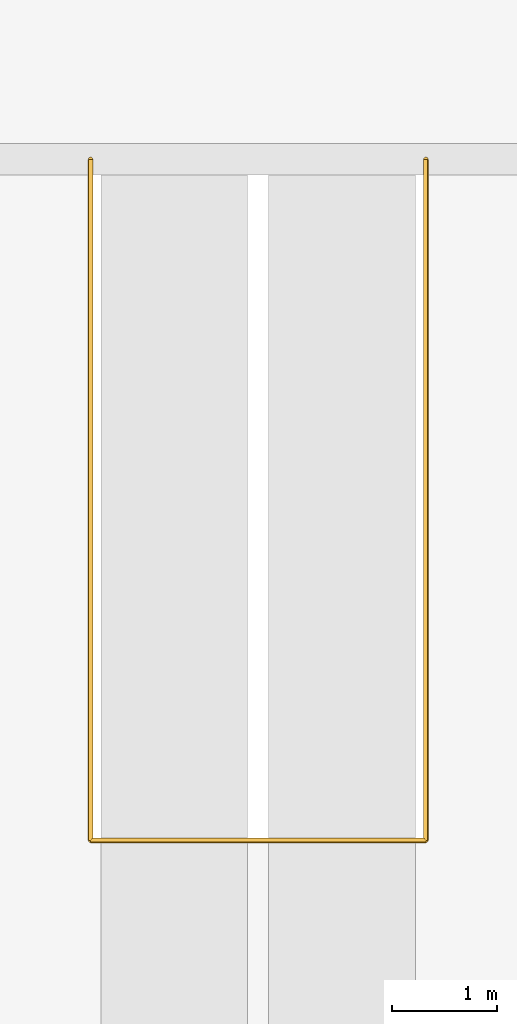
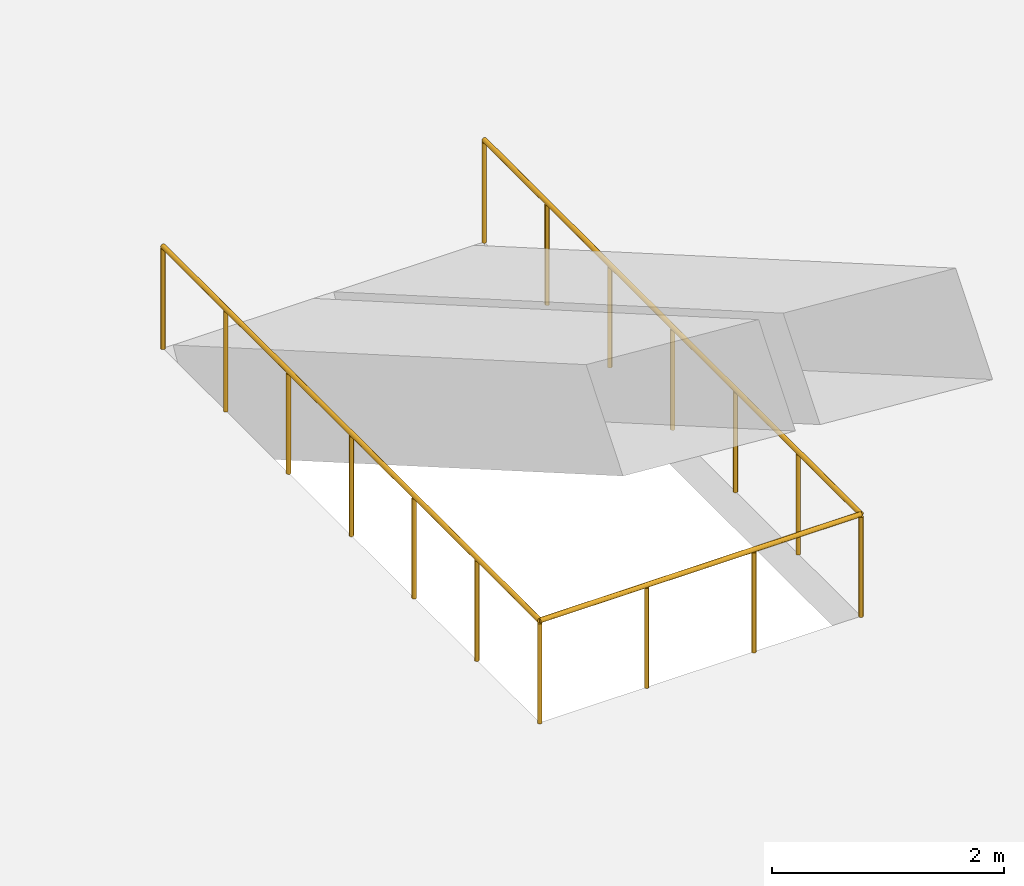
# One storey, part 22 of 27: 1 railing.
"""IFC4 building model written with IfcOpenShell, lengths in metres."""

from ifc_helpers import new_model, si_unit, direction, frame, origin, origin_2d, place, context, subcontext, project, spatial, circle, extrude, material, type_object, element, save


model = new_model("IFC4")

# Units and contexts
model_context = context("Model", 3, precision=1e-05, world=origin(), true_north=direction((0.0, 1.0)))
body_context = subcontext(model_context, "Body", "Model", "MODEL_VIEW")
ifc_project = project(units=[si_unit("LENGTHUNIT", "METRE"), si_unit("AREAUNIT", "SQUARE_METRE"), si_unit("VOLUMEUNIT", "CUBIC_METRE"), si_unit("PLANEANGLEUNIT", "RADIAN"), si_unit("MASSUNIT", "GRAM", prefix="KILO")], contexts=[model_context])

# Site, building, storey
site_placement = place(None, origin())
site = spatial("IfcSite", under=ifc_project, at=site_placement, CompositionType="ELEMENT")
building_placement = place(site_placement, origin())
building = spatial("IfcBuilding", under=site, at=building_placement, Name="Tel Ilan Convention Tower", CompositionType="ELEMENT")
storey_placement = place(building_placement, frame((0.0, 0.0, 9.0)))
storey = spatial("IfcBuildingStorey", under=building, at=storey_placement, Name="L01", CompositionType="ELEMENT", Elevation=9.0)

# Railing
ifc_material = material(Name="Stainless Steel Grade 316", Category="steel")
railing_type = type_object("IfcRailingType", Name="Stainless Steel Escalator Opening Guard 1100 mm", PredefinedType="GUARDRAIL", material=ifc_material)
railing_placement = place(storey_placement, frame((-1.60009765625, -36.41162109375, 0.0)))
element("IfcRailing", 1, at=railing_placement, inside=storey, type_object=railing_type, Name="L01 escalator opening guard", PredefinedType="GUARDRAIL", context=body_context, shape_type="SweptSolid", body=[
    extrude(circle(Radius=0.02392578125, at=origin_2d()), frame((0.0, 0.0, 1.076171875), z_axis=(0.0, -1.0, 0.0), x_axis=(1.0, 0.0, 0.0)), (0.0, 0.0, 1.0), 6.5),
    extrude(circle(Radius=0.02392578125, at=origin_2d()), frame((0.0, -6.5, 1.076171875), z_axis=(1.0, 0.0, 0.0), x_axis=(0.0, 1.0, 0.0)), (0.0, 0.0, 1.0), 3.2001953125),
    extrude(circle(Radius=0.02392578125, at=origin_2d()), frame((3.2001953125, -6.5, 1.076171875), z_axis=(0.0, 1.0, 0.0), x_axis=(-1.0, 0.0, 0.0)), (0.0, 0.0, 1.0), 6.5),
    extrude(circle(Radius=0.02099609375, at=origin_2d()), origin(), (0.0, 0.0, 1.0), 1.052001953125),
    extrude(circle(Radius=0.02099609375, at=origin_2d()), frame((0.0, -1.083251953125, 0.0)), (0.0, 0.0, 1.0), 1.052001953125),
    extrude(circle(Radius=0.02099609375, at=origin_2d()), frame((0.0, -2.166748046875, 0.0)), (0.0, 0.0, 1.0), 1.052001953125),
    extrude(circle(Radius=0.02099609375, at=origin_2d()), frame((0.0, -3.25, 0.0)), (0.0, 0.0, 1.0), 1.052001953125),
    extrude(circle(Radius=0.02099609375, at=origin_2d()), frame((0.0, -4.333251953125, 0.0)), (0.0, 0.0, 1.0), 1.052001953125),
    extrude(circle(Radius=0.02099609375, at=origin_2d()), frame((0.0, -5.416748046875, 0.0)), (0.0, 0.0, 1.0), 1.052001953125),
    extrude(circle(Radius=0.02099609375, at=origin_2d()), frame((0.0, -6.5, 0.0)), (0.0, 0.0, 1.0), 1.052001953125),
    extrude(circle(Radius=0.02099609375, at=origin_2d()), frame((1.066650390625, -6.5, 0.0)), (0.0, 0.0, 1.0), 1.052001953125),
    extrude(circle(Radius=0.02099609375, at=origin_2d()), frame((2.133544921875, -6.5, 0.0)), (0.0, 0.0, 1.0), 1.052001953125),
    extrude(circle(Radius=0.02099609375, at=origin_2d()), frame((3.2001953125, -6.5, 0.0)), (0.0, 0.0, 1.0), 1.052001953125),
    extrude(circle(Radius=0.02099609375, at=origin_2d()), frame((3.2001953125, -5.416748046875, 0.0)), (0.0, 0.0, 1.0), 1.052001953125),
    extrude(circle(Radius=0.02099609375, at=origin_2d()), frame((3.2001953125, -4.333251953125, 0.0)), (0.0, 0.0, 1.0), 1.052001953125),
    extrude(circle(Radius=0.02099609375, at=origin_2d()), frame((3.2001953125, -3.25, 0.0)), (0.0, 0.0, 1.0), 1.052001953125),
    extrude(circle(Radius=0.02099609375, at=origin_2d()), frame((3.2001953125, -2.166748046875, 0.0)), (0.0, 0.0, 1.0), 1.052001953125),
    extrude(circle(Radius=0.02099609375, at=origin_2d()), frame((3.2001953125, -1.083251953125, 0.0)), (0.0, 0.0, 1.0), 1.052001953125),
    extrude(circle(Radius=0.02099609375, at=origin_2d()), frame((3.2001953125, 0.0, 0.0)), (0.0, 0.0, 1.0), 1.052001953125),
])

save(model, "model.ifc")
